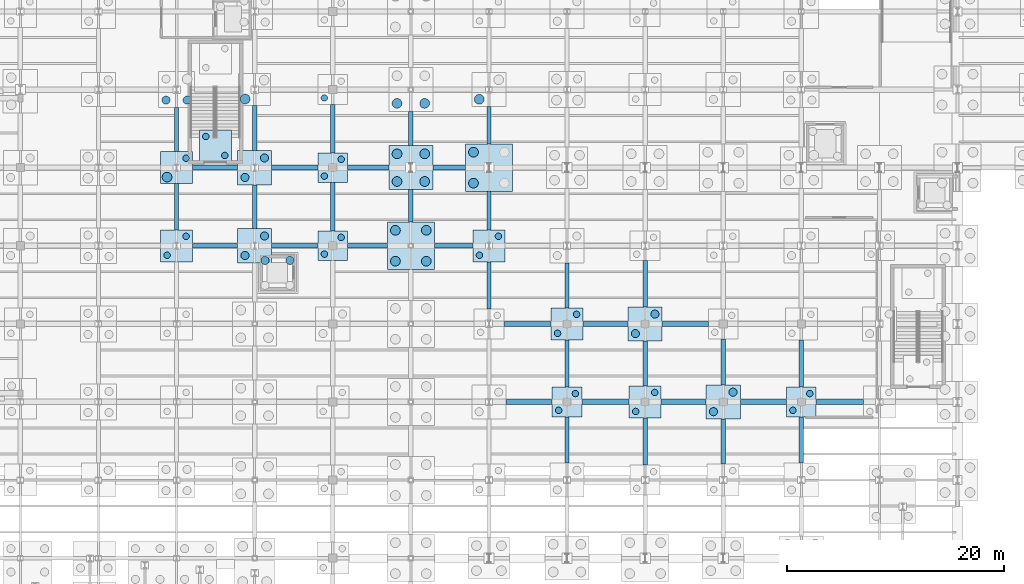
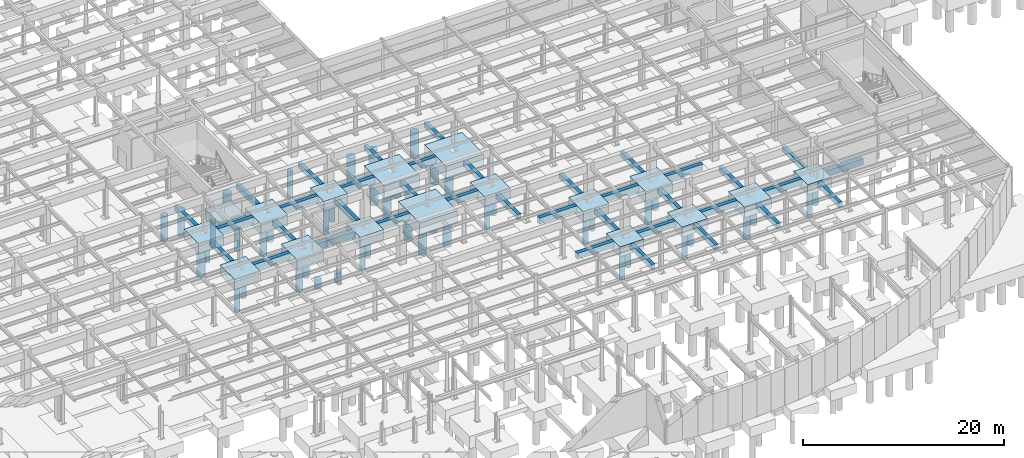
# One storey, part 6 of 64: 54 footings, 47 piles.
"""IFC4 building model written with IfcOpenShell, lengths in metres."""

from ifc_helpers import new_model, si_unit, direction, frame, origin, origin_2d, place, context, subcontext, project, spatial, rectangle, circle, extrude, material, material_profile, profile_set, type_object, element, save


model = new_model("IFC4")

# Units and contexts
model_context = context("Model", 3, precision=1e-05, world=origin(), true_north=direction((0.0, 1.0)))
body_context = subcontext(model_context, "Body", "Model", "MODEL_VIEW")
ifc_project = project(units=[si_unit("LENGTHUNIT", "METRE"), si_unit("AREAUNIT", "SQUARE_METRE"), si_unit("VOLUMEUNIT", "CUBIC_METRE"), si_unit("PLANEANGLEUNIT", "RADIAN"), si_unit("MASSUNIT", "GRAM", prefix="KILO")], contexts=[model_context])

# Site, building, storey
site_placement = place(None, origin())
site = spatial("IfcSite", under=ifc_project, at=site_placement, CompositionType="ELEMENT")
building_placement = place(site_placement, origin())
building = spatial("IfcBuilding", under=site, at=building_placement, Name="Solvadek Multi-Sports Hall", CompositionType="ELEMENT")
storey_placement = place(building_placement, frame((0.0, 0.0, -4.800048828125)))
storey = spatial("IfcBuildingStorey", under=building, at=storey_placement, Name="B1", CompositionType="ELEMENT", Elevation=-4.800048828125)

# Footings
ifc_material_1 = material(Name="Concrete M40", Category="concrete")
footing_type_1 = type_object("IfcFootingType", Name="STR-CAP-275X275X120", PredefinedType="PILE_CAP", material=ifc_material_1)
for number, where, z_axis, x_axis, name in (
    (1, (100.800048828125, 20.39990234375, -1.19970703125), (0.0, 0.0, 1.0), (1.0, 0.0, 0.0), "Pile Cap PC-02 #76"),
    (2, (122.39990234375, 20.39990234375, -1.19970703125), (0.0, 0.0, 1.0), (1.0, 0.0, 0.0), "Pile Cap PC-02 #79"),
    (3, (79.199951171875, 34.800048828125, -1.19970703125), (0.0, 0.0, 1.0), (1.0, 0.0, 0.0), "Pile Cap PC-02 #118"),
    (4, (79.199951171875, 42.0, -1.19970703125), (0.0, 0.0, 1.0), (1.0, 0.0, 0.0), "Pile Cap PC-02 #148"),
):
    element("IfcFooting", number, at=place(storey_placement, frame(where, z_axis=z_axis, x_axis=x_axis)), inside=storey, type_object=footing_type_1, Name=name, PredefinedType="PILE_CAP", context=body_context, shape_type="SweptSolid", body=[
        extrude(rectangle(XDim=2.75, YDim=2.75, at=origin_2d()), origin(), (0.0, 0.0, 1.0), 1.199951171875),
    ])
footing_type_2 = type_object("IfcFootingType", Name="STR-CAP-295X295X125", PredefinedType="PILE_CAP", material=ifc_material_1)
for number, where, z_axis, x_axis, name in (
    (5, (108.0, 20.39990234375, -1.25), (0.0, 0.0, 1.0), (1.0, 0.0, 0.0), "Pile Cap PC-14 #77"),
    (6, (100.800048828125, 27.60009765625, -1.25), (0.0, 0.0, 1.0), (1.0, 0.0, 0.0), "Pile Cap PC-14 #98"),
    (7, (64.800048828125, 34.800048828125, -1.25), (0.0, 0.0, 1.0), (1.0, 0.0, 0.0), "Pile Cap PC-14 #112"),
    (8, (93.60009765625, 34.800048828125, -1.25), (0.0, 0.0, 1.0), (1.0, 0.0, 0.0), "Pile Cap PC-14 #119"),
    (9, (64.800048828125, 42.0, -1.25), (0.0, 0.0, 1.0), (1.0, 0.0, 0.0), "Pile Cap PC-14 #142"),
    (10, (68.375, 44.0, -1.25), (0.0, 0.0, 1.0), (1.0, 0.0, 0.0), "Pile Cap PC-14 #149"),
):
    element("IfcFooting", number, at=place(storey_placement, frame(where, z_axis=z_axis, x_axis=x_axis)), inside=storey, type_object=footing_type_2, Name=name, PredefinedType="PILE_CAP", context=body_context, shape_type="SweptSolid", body=[
        extrude(rectangle(XDim=2.949951171875, YDim=2.949951171875, at=origin_2d()), origin(), (0.0, 0.0, 1.0), 1.25),
    ])
footing_type_3 = type_object("IfcFootingType", Name="STR-CAP-315X315X130", PredefinedType="PILE_CAP", material=ifc_material_1)
for number, where, z_axis, x_axis, name in (
    (11, (115.199951171875, 20.39990234375, -1.2998046875), (0.0, 0.0, 1.0), (1.0, 0.0, 0.0), "Pile Cap PC-15 #78"),
    (12, (108.0, 27.60009765625, -1.2998046875), (0.0, 0.0, 1.0), (1.0, 0.0, 0.0), "Pile Cap PC-15 #99"),
    (13, (72.0, 34.800048828125, -1.2998046875), (0.0, 0.0, 1.0), (1.0, 0.0, 0.0), "Pile Cap PC-15 #113"),
    (14, (72.0, 42.0, -1.2998046875), (0.0, 0.0, 1.0), (1.0, 0.0, 0.0), "Pile Cap PC-15 #143"),
):
    element("IfcFooting", number, at=place(storey_placement, frame(where, z_axis=z_axis, x_axis=x_axis)), inside=storey, type_object=footing_type_3, Name=name, PredefinedType="PILE_CAP", context=body_context, shape_type="SweptSolid", body=[
        extrude(rectangle(XDim=3.14990234375, YDim=3.14990234375, at=origin_2d()), origin(), (0.0, 0.0, 1.0), 1.300048828125),
    ])
footing_type_4 = type_object("IfcFootingType", Name="STR-CAP-405X405X150", PredefinedType="PILE_CAP", material=ifc_material_1)
footing_1_placement = place(storey_placement, frame((86.39990234375, 42.0, -1.5), z_axis=(0.0, 0.0, 1.0), x_axis=(1.0, 0.0, 0.0)))
element("IfcFooting", 15, at=footing_1_placement, inside=storey, type_object=footing_type_4, Name="Pile Cap PC-17 #125", PredefinedType="PILE_CAP", context=body_context, shape_type="SweptSolid", body=[
    extrude(rectangle(XDim=4.050048828125, YDim=4.050048828125, at=origin_2d()), origin(), (0.0, 0.0, 1.0), 1.5),
])
footing_type_5 = type_object("IfcFootingType", Name="STR-CAP-435X435X150", PredefinedType="PILE_CAP", material=ifc_material_1)
for number, where, z_axis, x_axis, name in (
    (16, (86.39990234375, 34.800048828125, -1.5), (0.0, 0.0, 1.0), (1.0, 0.0, 0.0), "Pile Cap PC-18 #105"),
    (17, (93.60009765625, 42.0, -1.5), (0.0, 0.0, 1.0), (1.0, 0.0, 0.0), "Pile Cap PC-18 #126"),
):
    element("IfcFooting", number, at=place(storey_placement, frame(where, z_axis=z_axis, x_axis=x_axis)), inside=storey, type_object=footing_type_5, Name=name, PredefinedType="PILE_CAP", context=body_context, shape_type="SweptSolid", body=[
        extrude(rectangle(XDim=4.35009765625, YDim=4.35009765625, at=origin_2d()), origin(), (0.0, 0.0, 1.0), 1.5),
    ])
footing_type_6 = type_object("IfcFootingType", Name="STR-FTB-400X650", PredefinedType="FOOTING_BEAM", material=ifc_material_1)
footing_2_placement = place(storey_placement, frame((64.800048828125, 38.39990234375, -0.64990234375), z_axis=(0.0, 0.0, 1.0), x_axis=(0.0, 1.0, 0.0)))
element("IfcFooting", 18, at=footing_2_placement, inside=storey, type_object=footing_type_6, Name="Foundation Beam FB-01 #319", PredefinedType="FOOTING_BEAM", context=body_context, shape_type="SweptSolid", body=[
    extrude(rectangle(XDim=4.25, YDim=0.39990234375, at=origin_2d()), origin(), (0.0, 0.0, 1.0), 0.64990234375),
])
footing_3_placement = place(storey_placement, frame((64.800048828125, 45.512451171875, -0.64990234375), z_axis=(0.0, 0.0, 1.0), x_axis=(0.0, 1.0, 0.0)))
element("IfcFooting", 19, at=footing_3_placement, inside=storey, type_object=footing_type_6, Name="Foundation Beam FB-01 #320", PredefinedType="FOOTING_BEAM", context=body_context, shape_type="SweptSolid", body=[
    extrude(rectangle(XDim=4.074951171875, YDim=0.39990234375, at=origin_2d()), origin(), (0.0, 0.0, 1.0), 0.64990234375),
])
footing_4_placement = place(storey_placement, frame((72.0, 38.39990234375, -0.64990234375), z_axis=(0.0, 0.0, 1.0), x_axis=(0.0, 1.0, 0.0)))
element("IfcFooting", 20, at=footing_4_placement, inside=storey, type_object=footing_type_6, Name="Foundation Beam FB-01 #331", PredefinedType="FOOTING_BEAM", context=body_context, shape_type="SweptSolid", body=[
    extrude(rectangle(XDim=4.050048828125, YDim=0.39990234375, at=origin_2d()), origin(), (0.0, 0.0, 1.0), 0.64990234375),
])
footing_5_placement = place(storey_placement, frame((72.0, 45.64990234375, -0.64990234375), z_axis=(0.0, 0.0, 1.0), x_axis=(0.0, 1.0, 0.0)))
element("IfcFooting", 21, at=footing_5_placement, inside=storey, type_object=footing_type_6, Name="Foundation Beam FB-01 #332", PredefinedType="FOOTING_BEAM", context=body_context, shape_type="SweptSolid", body=[
    extrude(rectangle(XDim=4.14990234375, YDim=0.39990234375, at=origin_2d()), origin(), (0.0, 0.0, 1.0), 0.64990234375),
])
for number, where, z_axis, x_axis, name in (
    (22, (79.199951171875, 38.39990234375, -0.64990234375), (0.0, 0.0, 1.0), (0.0, 1.0, 0.0), "Foundation Beam FB-01 #347"),
    (23, (79.199951171875, 45.60009765625, -0.64990234375), (0.0, 0.0, 1.0), (0.0, 1.0, 0.0), "Foundation Beam FB-01 #348"),
):
    element("IfcFooting", number, at=place(storey_placement, frame(where, z_axis=z_axis, x_axis=x_axis)), inside=storey, type_object=footing_type_6, Name=name, PredefinedType="FOOTING_BEAM", context=body_context, shape_type="SweptSolid", body=[
        extrude(rectangle(XDim=4.449951171875, YDim=0.39990234375, at=origin_2d()), origin(), (0.0, 0.0, 1.0), 0.64990234375),
    ])
footing_6_placement = place(storey_placement, frame((86.39990234375, 38.47509765625, -0.64990234375), z_axis=(0.0, 0.0, 1.0), x_axis=(0.0, 1.0, 0.0)))
element("IfcFooting", 24, at=footing_6_placement, inside=storey, type_object=footing_type_6, Name="Foundation Beam FB-01 #360", PredefinedType="FOOTING_BEAM", context=body_context, shape_type="SweptSolid", body=[
    extrude(rectangle(XDim=3.0, YDim=0.39990234375, at=origin_2d()), origin(), (0.0, 0.0, 1.0), 0.64990234375),
])
footing_7_placement = place(storey_placement, frame((86.39990234375, 45.60009765625, -0.64990234375), z_axis=(0.0, 0.0, 1.0), x_axis=(0.0, 1.0, 0.0)))
element("IfcFooting", 25, at=footing_7_placement, inside=storey, type_object=footing_type_6, Name="Foundation Beam FB-01 #361", PredefinedType="FOOTING_BEAM", context=body_context, shape_type="SweptSolid", body=[
    extrude(rectangle(XDim=3.14990234375, YDim=0.39990234375, at=origin_2d()), origin(), (0.0, 0.0, 1.0), 0.64990234375),
])
footing_8_placement = place(storey_placement, frame((93.60009765625, 31.14990234375, -0.64990234375), z_axis=(0.0, 0.0, 1.0), x_axis=(0.0, 1.0, 0.0)))
element("IfcFooting", 26, at=footing_8_placement, inside=storey, type_object=footing_type_6, Name="Foundation Beam FB-01 #374", PredefinedType="FOOTING_BEAM", context=body_context, shape_type="SweptSolid", body=[
    extrude(rectangle(XDim=4.35009765625, YDim=0.39990234375, at=origin_2d()), origin(), (0.0, 0.0, 1.0), 0.64990234375),
])
footing_9_placement = place(storey_placement, frame((93.60009765625, 38.050048828125, -0.64990234375), z_axis=(0.0, 0.0, 1.0), x_axis=(0.0, 1.0, 0.0)))
element("IfcFooting", 27, at=footing_9_placement, inside=storey, type_object=footing_type_6, Name="Foundation Beam FB-01 #375", PredefinedType="FOOTING_BEAM", context=body_context, shape_type="SweptSolid", body=[
    extrude(rectangle(XDim=3.550048828125, YDim=0.39990234375, at=origin_2d()), origin(), (0.0, 0.0, 1.0), 0.64990234375),
])
footing_10_placement = place(storey_placement, frame((93.60009765625, 45.89990234375, -0.64990234375), z_axis=(0.0, 0.0, 1.0), x_axis=(0.0, 1.0, 0.0)))
element("IfcFooting", 28, at=footing_10_placement, inside=storey, type_object=footing_type_6, Name="Foundation Beam FB-01 #376", PredefinedType="FOOTING_BEAM", context=body_context, shape_type="SweptSolid", body=[
    extrude(rectangle(XDim=3.449951171875, YDim=0.39990234375, at=origin_2d()), origin(), (0.0, 0.0, 1.0), 0.64990234375),
])
footing_11_placement = place(storey_placement, frame((100.800048828125, 16.89990234375, -0.64990234375), z_axis=(0.0, 0.0, 1.0), x_axis=(0.0, 1.0, 0.0)))
element("IfcFooting", 29, at=footing_11_placement, inside=storey, type_object=footing_type_6, Name="Foundation Beam FB-01 #380", PredefinedType="FOOTING_BEAM", context=body_context, shape_type="SweptSolid", body=[
    extrude(rectangle(XDim=4.25, YDim=0.39990234375, at=origin_2d()), origin(), (0.0, 0.0, 1.0), 0.64990234375),
])
footing_12_placement = place(storey_placement, frame((100.800048828125, 23.949951171875, -0.64990234375), z_axis=(0.0, 0.0, 1.0), x_axis=(0.0, 1.0, 0.0)))
element("IfcFooting", 30, at=footing_12_placement, inside=storey, type_object=footing_type_6, Name="Foundation Beam FB-01 #381", PredefinedType="FOOTING_BEAM", context=body_context, shape_type="SweptSolid", body=[
    extrude(rectangle(XDim=4.35009765625, YDim=0.39990234375, at=origin_2d()), origin(), (0.0, 0.0, 1.0), 0.64990234375),
])
footing_13_placement = place(storey_placement, frame((100.800048828125, 31.14990234375, -0.64990234375), z_axis=(0.0, 0.0, 1.0), x_axis=(0.0, 1.0, 0.0)))
element("IfcFooting", 31, at=footing_13_placement, inside=storey, type_object=footing_type_6, Name="Foundation Beam FB-01 #382", PredefinedType="FOOTING_BEAM", context=body_context, shape_type="SweptSolid", body=[
    extrude(rectangle(XDim=4.14990234375, YDim=0.39990234375, at=origin_2d()), origin(), (0.0, 0.0, 1.0), 0.64990234375),
])
footing_14_placement = place(storey_placement, frame((108.0, 16.75, -0.64990234375), z_axis=(0.0, 0.0, 1.0), x_axis=(0.0, 1.0, 0.0)))
element("IfcFooting", 32, at=footing_14_placement, inside=storey, type_object=footing_type_6, Name="Foundation Beam FB-01 #389", PredefinedType="FOOTING_BEAM", context=body_context, shape_type="SweptSolid", body=[
    extrude(rectangle(XDim=4.35009765625, YDim=0.39990234375, at=origin_2d()), origin(), (0.0, 0.0, 1.0), 0.64990234375),
])
footing_15_placement = place(storey_placement, frame((108.0, 23.949951171875, -0.64990234375), z_axis=(0.0, 0.0, 1.0), x_axis=(0.0, 1.0, 0.0)))
element("IfcFooting", 33, at=footing_15_placement, inside=storey, type_object=footing_type_6, Name="Foundation Beam FB-01 #390", PredefinedType="FOOTING_BEAM", context=body_context, shape_type="SweptSolid", body=[
    extrude(rectangle(XDim=4.14990234375, YDim=0.39990234375, at=origin_2d()), origin(), (0.0, 0.0, 1.0), 0.64990234375),
])
footing_16_placement = place(storey_placement, frame((108.0, 31.300048828125, -0.64990234375), z_axis=(0.0, 0.0, 1.0), x_axis=(0.0, 1.0, 0.0)))
element("IfcFooting", 34, at=footing_16_placement, inside=storey, type_object=footing_type_6, Name="Foundation Beam FB-01 #391", PredefinedType="FOOTING_BEAM", context=body_context, shape_type="SweptSolid", body=[
    extrude(rectangle(XDim=4.25, YDim=0.39990234375, at=origin_2d()), origin(), (0.0, 0.0, 1.0), 0.64990234375),
])
footing_17_placement = place(storey_placement, frame((115.199951171875, 16.75, -0.64990234375), z_axis=(0.0, 0.0, 1.0), x_axis=(0.0, 1.0, 0.0)))
element("IfcFooting", 35, at=footing_17_placement, inside=storey, type_object=footing_type_6, Name="Foundation Beam FB-01 #396", PredefinedType="FOOTING_BEAM", context=body_context, shape_type="SweptSolid", body=[
    extrude(rectangle(XDim=4.14990234375, YDim=0.39990234375, at=origin_2d()), origin(), (0.0, 0.0, 1.0), 0.64990234375),
])
for number, where, z_axis, x_axis, name in (
    (36, (115.199951171875, 24.10009765625, -0.64990234375), (0.0, 0.0, 1.0), (0.0, 1.0, 0.0), "Foundation Beam FB-01 #397"),
    (37, (122.39990234375, 16.89990234375, -0.64990234375), (0.0, 0.0, 1.0), (0.0, 1.0, 0.0), "Foundation Beam FB-01 #404"),
):
    element("IfcFooting", number, at=place(storey_placement, frame(where, z_axis=z_axis, x_axis=x_axis)), inside=storey, type_object=footing_type_6, Name=name, PredefinedType="FOOTING_BEAM", context=body_context, shape_type="SweptSolid", body=[
        extrude(rectangle(XDim=4.25, YDim=0.39990234375, at=origin_2d()), origin(), (0.0, 0.0, 1.0), 0.64990234375),
    ])
footing_18_placement = place(storey_placement, frame((122.39990234375, 23.949951171875, -0.64990234375), z_axis=(0.0, 0.0, 1.0), x_axis=(0.0, 1.0, 0.0)))
element("IfcFooting", 38, at=footing_18_placement, inside=storey, type_object=footing_type_6, Name="Foundation Beam FB-01 #405", PredefinedType="FOOTING_BEAM", context=body_context, shape_type="SweptSolid", body=[
    extrude(rectangle(XDim=4.35009765625, YDim=0.39990234375, at=origin_2d()), origin(), (0.0, 0.0, 1.0), 0.64990234375),
])
footing_type_7 = type_object("IfcFootingType", Name="STR-FTB-450X750", PredefinedType="FOOTING_BEAM", material=ifc_material_1)
footing_19_placement = place(storey_placement, frame((97.300048828125, 20.39990234375, -0.75), z_axis=(0.0, 0.0, 1.0), x_axis=(1.0, 0.0, 0.0)))
element("IfcFooting", 39, at=footing_19_placement, inside=storey, type_object=footing_type_7, Name="Foundation Beam FB-02 #31", PredefinedType="FOOTING_BEAM", context=body_context, shape_type="SweptSolid", body=[
    extrude(rectangle(XDim=4.25, YDim=0.449951171875, at=origin_2d()), origin(), (0.0, 0.0, 1.0), 0.75),
])
footing_20_placement = place(storey_placement, frame((104.35009765625, 20.39990234375, -0.75), z_axis=(0.0, 0.0, 1.0), x_axis=(1.0, 0.0, 0.0)))
element("IfcFooting", 40, at=footing_20_placement, inside=storey, type_object=footing_type_7, Name="Foundation Beam FB-02 #32", PredefinedType="FOOTING_BEAM", context=body_context, shape_type="SweptSolid", body=[
    extrude(rectangle(XDim=4.35009765625, YDim=0.449951171875, at=origin_2d()), origin(), (0.0, 0.0, 1.0), 0.75),
])
footing_21_placement = place(storey_placement, frame((111.550048828125, 20.39990234375, -0.75), z_axis=(0.0, 0.0, 1.0), x_axis=(1.0, 0.0, 0.0)))
element("IfcFooting", 41, at=footing_21_placement, inside=storey, type_object=footing_type_7, Name="Foundation Beam FB-02 #33", PredefinedType="FOOTING_BEAM", context=body_context, shape_type="SweptSolid", body=[
    extrude(rectangle(XDim=4.14990234375, YDim=0.449951171875, at=origin_2d()), origin(), (0.0, 0.0, 1.0), 0.75),
])
footing_22_placement = place(storey_placement, frame((118.89990234375, 20.39990234375, -0.75), z_axis=(0.0, 0.0, 1.0), x_axis=(1.0, 0.0, 0.0)))
element("IfcFooting", 42, at=footing_22_placement, inside=storey, type_object=footing_type_7, Name="Foundation Beam FB-02 #34", PredefinedType="FOOTING_BEAM", context=body_context, shape_type="SweptSolid", body=[
    extrude(rectangle(XDim=4.25, YDim=0.449951171875, at=origin_2d()), origin(), (0.0, 0.0, 1.0), 0.75),
])
for number, where, z_axis, x_axis, name in (
    (43, (125.949951171875, 20.39990234375, -0.75), (0.0, 0.0, 1.0), (1.0, 0.0, 0.0), "Foundation Beam FB-02 #35"),
    (44, (97.14990234375, 27.60009765625, -0.75), (0.0, 0.0, 1.0), (1.0, 0.0, 0.0), "Foundation Beam FB-02 #52"),
):
    element("IfcFooting", number, at=place(storey_placement, frame(where, z_axis=z_axis, x_axis=x_axis)), inside=storey, type_object=footing_type_7, Name=name, PredefinedType="FOOTING_BEAM", context=body_context, shape_type="SweptSolid", body=[
        extrude(rectangle(XDim=4.35009765625, YDim=0.449951171875, at=origin_2d()), origin(), (0.0, 0.0, 1.0), 0.75),
    ])
footing_23_placement = place(storey_placement, frame((104.35009765625, 27.60009765625, -0.75), z_axis=(0.0, 0.0, 1.0), x_axis=(1.0, 0.0, 0.0)))
element("IfcFooting", 45, at=footing_23_placement, inside=storey, type_object=footing_type_7, Name="Foundation Beam FB-02 #53", PredefinedType="FOOTING_BEAM", context=body_context, shape_type="SweptSolid", body=[
    extrude(rectangle(XDim=4.14990234375, YDim=0.449951171875, at=origin_2d()), origin(), (0.0, 0.0, 1.0), 0.75),
])
footing_24_placement = place(storey_placement, frame((111.699951171875, 27.60009765625, -0.75), z_axis=(0.0, 0.0, 1.0), x_axis=(1.0, 0.0, 0.0)))
element("IfcFooting", 46, at=footing_24_placement, inside=storey, type_object=footing_type_7, Name="Foundation Beam FB-02 #54", PredefinedType="FOOTING_BEAM", context=body_context, shape_type="SweptSolid", body=[
    extrude(rectangle(XDim=4.25, YDim=0.449951171875, at=origin_2d()), origin(), (0.0, 0.0, 1.0), 0.75),
])
footing_25_placement = place(storey_placement, frame((68.35009765625, 34.800048828125, -0.75), z_axis=(0.0, 0.0, 1.0), x_axis=(1.0, 0.0, 0.0)))
element("IfcFooting", 47, at=footing_25_placement, inside=storey, type_object=footing_type_7, Name="Foundation Beam FB-02 #67", PredefinedType="FOOTING_BEAM", context=body_context, shape_type="SweptSolid", body=[
    extrude(rectangle(XDim=4.14990234375, YDim=0.449951171875, at=origin_2d()), origin(), (0.0, 0.0, 1.0), 0.75),
])
footing_26_placement = place(storey_placement, frame((75.699951171875, 34.800048828125, -0.75), z_axis=(0.0, 0.0, 1.0), x_axis=(1.0, 0.0, 0.0)))
element("IfcFooting", 48, at=footing_26_placement, inside=storey, type_object=footing_type_7, Name="Foundation Beam FB-02 #68", PredefinedType="FOOTING_BEAM", context=body_context, shape_type="SweptSolid", body=[
    extrude(rectangle(XDim=4.25, YDim=0.449951171875, at=origin_2d()), origin(), (0.0, 0.0, 1.0), 0.75),
])
footing_27_placement = place(storey_placement, frame((82.39990234375, 34.800048828125, -0.75), z_axis=(0.0, 0.0, 1.0), x_axis=(1.0, 0.0, 0.0)))
element("IfcFooting", 49, at=footing_27_placement, inside=storey, type_object=footing_type_7, Name="Foundation Beam FB-02 #69", PredefinedType="FOOTING_BEAM", context=body_context, shape_type="SweptSolid", body=[
    extrude(rectangle(XDim=3.64990234375, YDim=0.449951171875, at=origin_2d()), origin(), (0.0, 0.0, 1.0), 0.75),
])
footing_28_placement = place(storey_placement, frame((90.35009765625, 34.800048828125, -0.75), z_axis=(0.0, 0.0, 1.0), x_axis=(1.0, 0.0, 0.0)))
element("IfcFooting", 50, at=footing_28_placement, inside=storey, type_object=footing_type_7, Name="Foundation Beam FB-02 #70", PredefinedType="FOOTING_BEAM", context=body_context, shape_type="SweptSolid", body=[
    extrude(rectangle(XDim=3.550048828125, YDim=0.449951171875, at=origin_2d()), origin(), (0.0, 0.0, 1.0), 0.75),
])
footing_29_placement = place(storey_placement, frame((68.35009765625, 42.0, -0.75), z_axis=(0.0, 0.0, 1.0), x_axis=(1.0, 0.0, 0.0)))
element("IfcFooting", 51, at=footing_29_placement, inside=storey, type_object=footing_type_7, Name="Foundation Beam FB-02 #86", PredefinedType="FOOTING_BEAM", context=body_context, shape_type="SweptSolid", body=[
    extrude(rectangle(XDim=4.14990234375, YDim=0.449951171875, at=origin_2d()), origin(), (0.0, 0.0, 1.0), 0.75),
])
footing_30_placement = place(storey_placement, frame((75.699951171875, 42.0, -0.75), z_axis=(0.0, 0.0, 1.0), x_axis=(1.0, 0.0, 0.0)))
element("IfcFooting", 52, at=footing_30_placement, inside=storey, type_object=footing_type_7, Name="Foundation Beam FB-02 #87", PredefinedType="FOOTING_BEAM", context=body_context, shape_type="SweptSolid", body=[
    extrude(rectangle(XDim=4.25, YDim=0.449951171875, at=origin_2d()), origin(), (0.0, 0.0, 1.0), 0.75),
])
footing_31_placement = place(storey_placement, frame((82.47509765625, 42.0, -0.75), z_axis=(0.0, 0.0, 1.0), x_axis=(1.0, 0.0, 0.0)))
element("IfcFooting", 53, at=footing_31_placement, inside=storey, type_object=footing_type_7, Name="Foundation Beam FB-02 #88", PredefinedType="FOOTING_BEAM", context=body_context, shape_type="SweptSolid", body=[
    extrude(rectangle(XDim=3.800048828125, YDim=0.449951171875, at=origin_2d()), origin(), (0.0, 0.0, 1.0), 0.75),
])
footing_32_placement = place(storey_placement, frame((89.925048828125, 42.0, -0.75), z_axis=(0.0, 0.0, 1.0), x_axis=(1.0, 0.0, 0.0)))
element("IfcFooting", 54, at=footing_32_placement, inside=storey, type_object=footing_type_7, Name="Foundation Beam FB-02 #89", PredefinedType="FOOTING_BEAM", context=body_context, shape_type="SweptSolid", body=[
    extrude(rectangle(XDim=3.0, YDim=0.449951171875, at=origin_2d()), origin(), (0.0, 0.0, 1.0), 0.75),
])

# Piles
ifc_material_2 = material(Name="Concrete M35", Category="concrete")
ifc_material_profile_1 = material_profile(ifc_material_2, circle(Radius=0.300048828125, at=origin_2d()), Name="BORED PILE D600")
ifc_profile_set_1 = profile_set([ifc_material_profile_1], Name="Concrete M35")
pile_type_1 = type_object("IfcPileType", Name="STR-PILE-D600", PredefinedType="BORED", material=ifc_profile_set_1)
for number, where, z_axis, x_axis, name in (
    (55, (100.02490234375, 19.625, -1.099853515625), (0.0, 0.0, -1.0), (1.0, 0.0, 0.0), "Bored Pile PL-600 #292"),
    (56, (101.574951171875, 21.175048828125, -1.099853515625), (0.0, 0.0, -1.0), (1.0, 0.0, 0.0), "Bored Pile PL-600 #293"),
):
    element("IfcPile", number, at=place(storey_placement, frame(where, z_axis=z_axis, x_axis=x_axis)), inside=storey, type_object=pile_type_1, Name=name, PredefinedType="BORED", context=body_context, shape_type="SweptSolid", body=[
        extrude(circle(Radius=0.300048828125, at=origin_2d()), origin(), (0.0, 0.0, 1.0), 3.300048828125),
    ])
for number, where, z_axis, x_axis, name in (
    (57, (107.125, 19.52490234375, -1.14990234375), (0.0, 0.0, -1.0), (1.0, 0.0, 0.0), "Bored Pile PL-600 #294"),
    (58, (108.875, 21.27490234375, -1.14990234375), (0.0, 0.0, -1.0), (1.0, 0.0, 0.0), "Bored Pile PL-600 #295"),
):
    element("IfcPile", number, at=place(storey_placement, frame(where, z_axis=z_axis, x_axis=x_axis)), inside=storey, type_object=pile_type_1, Name=name, PredefinedType="BORED", context=body_context, shape_type="SweptSolid", body=[
        extrude(circle(Radius=0.300048828125, at=origin_2d()), origin(), (0.0, 0.0, 1.0), 3.25),
    ])
for number, where, z_axis, x_axis, name in (
    (59, (121.625, 19.625, -1.099853515625), (0.0, 0.0, -1.0), (1.0, 0.0, 0.0), "Bored Pile PL-600 #298"),
    (60, (123.175048828125, 21.175048828125, -1.099853515625), (0.0, 0.0, -1.0), (1.0, 0.0, 0.0), "Bored Pile PL-600 #299"),
):
    element("IfcPile", number, at=place(storey_placement, frame(where, z_axis=z_axis, x_axis=x_axis)), inside=storey, type_object=pile_type_1, Name=name, PredefinedType="BORED", context=body_context, shape_type="SweptSolid", body=[
        extrude(circle(Radius=0.300048828125, at=origin_2d()), origin(), (0.0, 0.0, 1.0), 3.300048828125),
    ])
for number, where, z_axis, x_axis, name in (
    (61, (99.925048828125, 26.72509765625, -1.14990234375), (0.0, 0.0, -1.0), (1.0, 0.0, 0.0), "Bored Pile PL-600 #346"),
    (62, (101.675048828125, 28.47509765625, -1.14990234375), (0.0, 0.0, -1.0), (1.0, 0.0, 0.0), "Bored Pile PL-600 #347"),
    (63, (63.925048828125, 33.925048828125, -1.14990234375), (0.0, 0.0, -1.0), (1.0, 0.0, 0.0), "Bored Pile PL-600 #382"),
    (64, (65.675048828125, 35.675048828125, -1.14990234375), (0.0, 0.0, -1.0), (1.0, 0.0, 0.0), "Bored Pile PL-600 #383"),
):
    element("IfcPile", number, at=place(storey_placement, frame(where, z_axis=z_axis, x_axis=x_axis)), inside=storey, type_object=pile_type_1, Name=name, PredefinedType="BORED", context=body_context, shape_type="SweptSolid", body=[
        extrude(circle(Radius=0.300048828125, at=origin_2d()), origin(), (0.0, 0.0, 1.0), 3.25),
    ])
for number, where, z_axis, x_axis, name in (
    (65, (78.425048828125, 34.02490234375, -1.099853515625), (0.0, 0.0, -1.0), (1.0, 0.0, 0.0), "Bored Pile PL-600 #394"),
    (66, (79.97509765625, 35.574951171875, -1.099853515625), (0.0, 0.0, -1.0), (1.0, 0.0, 0.0), "Bored Pile PL-600 #395"),
):
    element("IfcPile", number, at=place(storey_placement, frame(where, z_axis=z_axis, x_axis=x_axis)), inside=storey, type_object=pile_type_1, Name=name, PredefinedType="BORED", context=body_context, shape_type="SweptSolid", body=[
        extrude(circle(Radius=0.300048828125, at=origin_2d()), origin(), (0.0, 0.0, 1.0), 3.300048828125),
    ])
for number, where, z_axis, x_axis, name in (
    (67, (92.72509765625, 33.925048828125, -1.14990234375), (0.0, 0.0, -1.0), (1.0, 0.0, 0.0), "Bored Pile PL-600 #396"),
    (68, (94.47509765625, 35.675048828125, -1.14990234375), (0.0, 0.0, -1.0), (1.0, 0.0, 0.0), "Bored Pile PL-600 #397"),
    (69, (65.675048828125, 42.875, -1.14990234375), (0.0, 0.0, -1.0), (1.0, 0.0, 0.0), "Bored Pile PL-600 #471"),
):
    element("IfcPile", number, at=place(storey_placement, frame(where, z_axis=z_axis, x_axis=x_axis)), inside=storey, type_object=pile_type_1, Name=name, PredefinedType="BORED", context=body_context, shape_type="SweptSolid", body=[
        extrude(circle(Radius=0.300048828125, at=origin_2d()), origin(), (0.0, 0.0, 1.0), 3.25),
    ])
for number, where, z_axis, x_axis, name in (
    (70, (78.425048828125, 41.22509765625, -1.099853515625), (0.0, 0.0, -1.0), (1.0, 0.0, 0.0), "Bored Pile PL-600 #482"),
    (71, (79.97509765625, 42.77490234375, -1.099853515625), (0.0, 0.0, -1.0), (1.0, 0.0, 0.0), "Bored Pile PL-600 #483"),
):
    element("IfcPile", number, at=place(storey_placement, frame(where, z_axis=z_axis, x_axis=x_axis)), inside=storey, type_object=pile_type_1, Name=name, PredefinedType="BORED", context=body_context, shape_type="SweptSolid", body=[
        extrude(circle(Radius=0.300048828125, at=origin_2d()), origin(), (0.0, 0.0, 1.0), 3.300048828125),
    ])
for number, where, z_axis, x_axis, name in (
    (72, (67.5, 44.875, -1.14990234375), (0.0, 0.0, -1.0), (1.0, 0.0, 0.0), "Bored Pile PL-600 #484"),
    (73, (69.25, 43.125, -1.14990234375), (0.0, 0.0, -1.0), (1.0, 0.0, 0.0), "Bored Pile PL-600 #485"),
):
    element("IfcPile", number, at=place(storey_placement, frame(where, z_axis=z_axis, x_axis=x_axis)), inside=storey, type_object=pile_type_1, Name=name, PredefinedType="BORED", context=body_context, shape_type="SweptSolid", body=[
        extrude(circle(Radius=0.300048828125, at=origin_2d()), origin(), (0.0, 0.0, 1.0), 3.25),
    ])
pile_1_placement = place(storey_placement, frame((78.425048828125, 48.425048828125, -1.099853515625), z_axis=(0.0, 0.0, -1.0), x_axis=(1.0, 0.0, 0.0)))
element("IfcPile", 74, at=pile_1_placement, inside=storey, type_object=pile_type_1, Name="Bored Pile PL-600 #548", PredefinedType="BORED", context=body_context, shape_type="SweptSolid", body=[
    extrude(circle(Radius=0.300048828125, at=origin_2d()), origin(), (0.0, 0.0, 1.0), 3.300048828125),
])
ifc_material_profile_2 = material_profile(ifc_material_2, circle(Radius=0.375, at=origin_2d()), Name="BORED PILE D750")
ifc_profile_set_2 = profile_set([ifc_material_profile_2], Name="Concrete M35")
pile_type_2 = type_object("IfcPileType", Name="STR-PILE-D750", PredefinedType="BORED", material=ifc_profile_set_2)
for number, where, z_axis, x_axis, name in (
    (75, (114.300048828125, 19.5, -1.199951171875), (0.0, 0.0, -1.0), (1.0, 0.0, 0.0), "Bored Pile PL-750 #296"),
    (76, (116.10009765625, 21.300048828125, -1.199951171875), (0.0, 0.0, -1.0), (1.0, 0.0, 0.0), "Bored Pile PL-750 #297"),
    (77, (107.10009765625, 26.699951171875, -1.199951171875), (0.0, 0.0, -1.0), (1.0, 0.0, 0.0), "Bored Pile PL-750 #348"),
    (78, (108.89990234375, 28.5, -1.199951171875), (0.0, 0.0, -1.0), (1.0, 0.0, 0.0), "Bored Pile PL-750 #349"),
    (79, (71.10009765625, 33.89990234375, -1.199951171875), (0.0, 0.0, -1.0), (1.0, 0.0, 0.0), "Bored Pile PL-750 #384"),
    (80, (72.89990234375, 35.699951171875, -1.199951171875), (0.0, 0.0, -1.0), (1.0, 0.0, 0.0), "Bored Pile PL-750 #385"),
    (81, (71.10009765625, 41.10009765625, -1.199951171875), (0.0, 0.0, -1.0), (1.0, 0.0, 0.0), "Bored Pile PL-750 #472"),
    (82, (72.89990234375, 42.89990234375, -1.199951171875), (0.0, 0.0, -1.0), (1.0, 0.0, 0.0), "Bored Pile PL-750 #473"),
):
    element("IfcPile", number, at=place(storey_placement, frame(where, z_axis=z_axis, x_axis=x_axis)), inside=storey, type_object=pile_type_2, Name=name, PredefinedType="BORED", context=body_context, shape_type="SweptSolid", body=[
        extrude(circle(Radius=0.375, at=origin_2d()), origin(), (0.0, 0.0, 1.0), 3.199951171875),
    ])
for number, where, z_axis, x_axis, name in (
    (83, (63.824951171875, 48.22509765625, -1.25), (0.0, 0.0, -1.0), (1.0, 0.0, 0.0), "Bored Pile PL-750 #520"),
    (84, (65.77490234375, 48.22509765625, -1.25), (0.0, 0.0, -1.0), (1.0, 0.0, 0.0), "Bored Pile PL-750 #522"),
):
    element("IfcPile", number, at=place(storey_placement, frame(where, z_axis=z_axis, x_axis=x_axis)), inside=storey, type_object=pile_type_2, Name=name, PredefinedType="BORED", context=body_context, shape_type="SweptSolid", body=[
        extrude(circle(Radius=0.375, at=origin_2d()), origin(), (0.0, 0.0, 1.0), 3.14990234375),
    ])
for number, where, z_axis, x_axis, name in (
    (85, (72.949951171875, 33.449951171875, -3.25), (0.0, 0.0, -1.0), (1.0, 0.0, 0.0), "Lift Pit Bored Pile PL-750 #926"),
    (86, (75.25, 33.449951171875, -3.25), (0.0, 0.0, -1.0), (1.0, 0.0, 0.0), "Lift Pit Bored Pile PL-750 #927"),
):
    element("IfcPile", number, at=place(storey_placement, frame(where, z_axis=z_axis, x_axis=x_axis)), inside=storey, type_object=pile_type_2, Name=name, PredefinedType="BORED", context=body_context, shape_type="SweptSolid", body=[
        extrude(circle(Radius=0.375, at=origin_2d()), origin(), (0.0, 0.0, 1.0), 1.14990234375),
    ])
ifc_material_profile_3 = material_profile(ifc_material_2, circle(Radius=0.449951171875, at=origin_2d()), Name="BORED PILE D900")
ifc_profile_set_3 = profile_set([ifc_material_profile_3], Name="Concrete M35")
pile_type_3 = type_object("IfcPileType", Name="STR-PILE-D900", PredefinedType="BORED", material=ifc_profile_set_3)
for number, where, z_axis, x_axis, name in (
    (87, (84.97509765625, 33.375, -1.39990234375), (0.0, 0.0, -1.0), (1.0, 0.0, 0.0), "Bored Pile PL-900 #360"),
    (88, (84.97509765625, 36.22509765625, -1.39990234375), (0.0, 0.0, -1.0), (1.0, 0.0, 0.0), "Bored Pile PL-900 #361"),
    (89, (87.824951171875, 33.375, -1.39990234375), (0.0, 0.0, -1.0), (1.0, 0.0, 0.0), "Bored Pile PL-900 #362"),
    (90, (87.824951171875, 36.22509765625, -1.39990234375), (0.0, 0.0, -1.0), (1.0, 0.0, 0.0), "Bored Pile PL-900 #363"),
    (91, (85.125, 40.72509765625, -1.39990234375), (0.0, 0.0, -1.0), (1.0, 0.0, 0.0), "Bored Pile PL-900 #408"),
    (92, (85.125, 43.27490234375, -1.39990234375), (0.0, 0.0, -1.0), (1.0, 0.0, 0.0), "Bored Pile PL-900 #409"),
    (93, (87.675048828125, 40.72509765625, -1.39990234375), (0.0, 0.0, -1.0), (1.0, 0.0, 0.0), "Bored Pile PL-900 #410"),
    (94, (87.675048828125, 43.27490234375, -1.39990234375), (0.0, 0.0, -1.0), (1.0, 0.0, 0.0), "Bored Pile PL-900 #411"),
    (95, (92.175048828125, 40.574951171875, -1.39990234375), (0.0, 0.0, -1.0), (1.0, 0.0, 0.0), "Bored Pile PL-900 #412"),
    (96, (92.175048828125, 43.425048828125, -1.39990234375), (0.0, 0.0, -1.0), (1.0, 0.0, 0.0), "Bored Pile PL-900 #413"),
):
    element("IfcPile", number, at=place(storey_placement, frame(where, z_axis=z_axis, x_axis=x_axis)), inside=storey, type_object=pile_type_3, Name=name, PredefinedType="BORED", context=body_context, shape_type="SweptSolid", body=[
        extrude(circle(Radius=0.449951171875, at=origin_2d()), origin(), (0.0, 0.0, 1.0), 3.0),
    ])
pile_2_placement = place(storey_placement, frame((63.925048828125, 41.125, -1.14990234375), z_axis=(0.0, 0.0, -1.0), x_axis=(1.0, 0.0, 0.0)))
element("IfcPile", 97, at=pile_2_placement, inside=storey, type_object=pile_type_3, Name="Bored Pile PL-900 #470", PredefinedType="BORED", context=body_context, shape_type="SweptSolid", body=[
    extrude(circle(Radius=0.449951171875, at=origin_2d()), origin(), (0.0, 0.0, 1.0), 3.25),
])
for number, where, z_axis, x_axis, name in (
    (98, (85.125, 47.925048828125, -1.39990234375), (0.0, 0.0, -1.0), (1.0, 0.0, 0.0), "Bored Pile PL-900 #498"),
    (99, (87.675048828125, 47.925048828125, -1.39990234375), (0.0, 0.0, -1.0), (1.0, 0.0, 0.0), "Bored Pile PL-900 #500"),
):
    element("IfcPile", number, at=place(storey_placement, frame(where, z_axis=z_axis, x_axis=x_axis)), inside=storey, type_object=pile_type_3, Name=name, PredefinedType="BORED", context=body_context, shape_type="SweptSolid", body=[
        extrude(circle(Radius=0.449951171875, at=origin_2d()), origin(), (0.0, 0.0, 1.0), 3.0),
    ])
pile_3_placement = place(storey_placement, frame((71.125, 48.324951171875, -1.14990234375), z_axis=(0.0, 0.0, -1.0), x_axis=(1.0, 0.0, 0.0)))
element("IfcPile", 100, at=pile_3_placement, inside=storey, type_object=pile_type_3, Name="Bored Pile PL-900 #524", PredefinedType="BORED", context=body_context, shape_type="SweptSolid", body=[
    extrude(circle(Radius=0.449951171875, at=origin_2d()), origin(), (0.0, 0.0, 1.0), 3.25),
])
pile_4_placement = place(storey_placement, frame((92.699951171875, 48.300048828125, -1.199951171875), z_axis=(0.0, 0.0, -1.0), x_axis=(1.0, 0.0, 0.0)))
element("IfcPile", 101, at=pile_4_placement, inside=storey, type_object=pile_type_3, Name="Bored Pile PL-900 #526", PredefinedType="BORED", context=body_context, shape_type="SweptSolid", body=[
    extrude(circle(Radius=0.449951171875, at=origin_2d()), origin(), (0.0, 0.0, 1.0), 3.199951171875),
])

save(model, "model.ifc")
